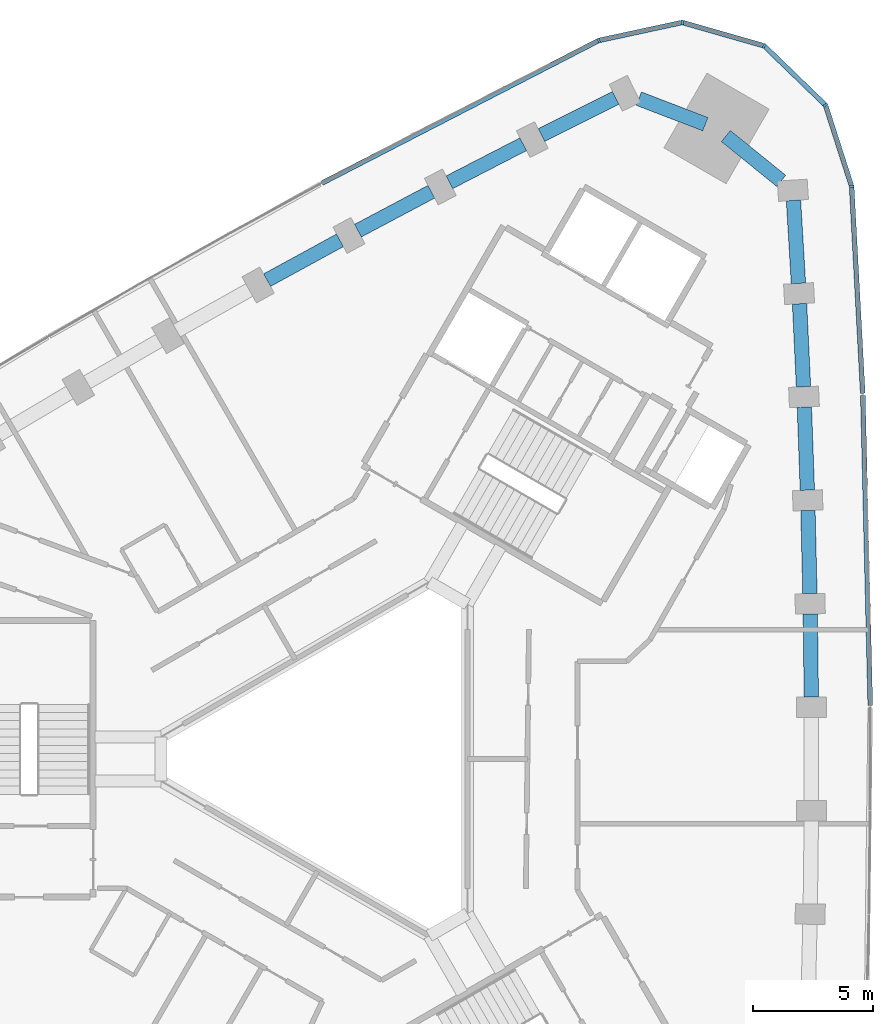
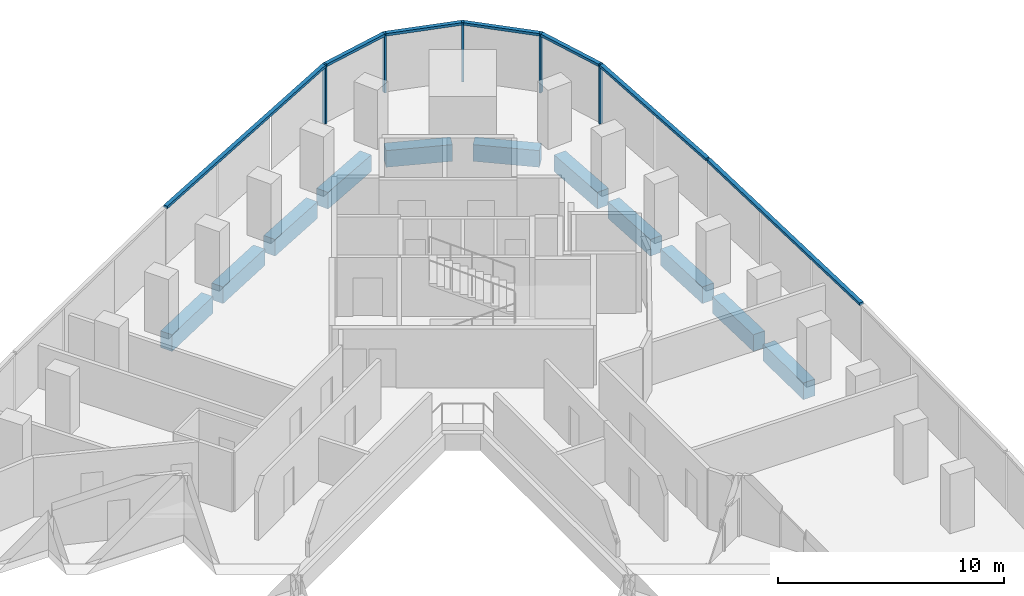
# One storey, part 5 of 12: 12 members, 11 beams, 2 elements without a shape of their own.
"""IFC4 building model written with IfcOpenShell, lengths in metres."""

import ifcopenshell
import ifcopenshell.guid

model = None  # the IFC model being written
_history = None  # IfcOwnerHistory: only IFC2X3 demands one
_inside = {}  # id of a spatial element -> (the spatial element, [elements in it])
_under = {}  # id of a project, library or spatial element -> (it, [spatial elements below it])
_declared = {}  # id of a project -> (the project, [libraries it declares])
_typed = {}  # id of a type object -> (the type object, [elements of that type])
_made_of = {}  # id of a material, layer set ... -> (it, [elements and type objects made of it])


def new_model(schema):
    """Start an empty IFC model of exactly this schema.

    Asked for "IFC4X3", IfcOpenShell would pick the latest addendum, in which some entities
    have other attributes; the version numbers below select the first issue.
    IFC2X3 requires an IfcOwnerHistory on every rooted entity: one is made here for all.
    """
    global model, _history
    if schema == "IFC4X3":
        model = ifcopenshell.file(schema_version=(4, 3, 0, 0))
    else:
        model = ifcopenshell.file(schema=schema)
    _inside.clear()
    _under.clear()
    _declared.clear()
    _typed.clear()
    _made_of.clear()
    _history = None
    if model.schema == "IFC2X3":
        org = make("IfcOrganization", Name="unknown")
        user = make(
            "IfcPersonAndOrganization",
            ThePerson=make("IfcPerson", FamilyName="unknown"),
            TheOrganization=org,
        )
        app = make(
            "IfcApplication",
            ApplicationDeveloper=org,
            Version="unknown",
            ApplicationFullName="unknown",
            ApplicationIdentifier="unknown",
        )
        _history = make(
            "IfcOwnerHistory",
            OwningUser=user,
            OwningApplication=app,
            ChangeAction="ADDED",
            CreationDate=0,
        )
    return model


def make(cls, **values):
    """One entity of the class cls with the attributes given. An attribute that is None is left unset."""
    return model.create_entity(
        cls, **{name: value for name, value in values.items() if value is not None}
    )


def rooted(cls, **values):
    """An entity with a GlobalId (a new one), such as an element, a storey or a relation."""
    return make(cls, GlobalId=ifcopenshell.guid.new(), OwnerHistory=_history, **values)


def si_unit(unit_type, name, prefix=None):
    """IfcSIUnit, for example si_unit("LENGTHUNIT", "METRE", prefix="MILLI")."""
    return make("IfcSIUnit", UnitType=unit_type, Prefix=prefix, Name=name)


def assignment(units):
    """IfcUnitAssignment: the units of a project."""
    return None if units is None else make("IfcUnitAssignment", Units=units)


def point(xyz):
    """IfcCartesianPoint."""
    return None if xyz is None else make("IfcCartesianPoint", Coordinates=xyz)


def direction(xyz):
    """IfcDirection."""
    return None if xyz is None else make("IfcDirection", DirectionRatios=xyz)


def frame(location, z_axis=None, x_axis=None):
    """IfcAxis2Placement3D, a coordinate frame: its origin and axes. An axis left out is left unset."""
    return make(
        "IfcAxis2Placement3D",
        Location=point(location),
        Axis=direction(z_axis),
        RefDirection=direction(x_axis),
    )


def frame_2d(location, x_axis=None):
    """IfcAxis2Placement2D, a coordinate frame in the plane: its origin and x axis."""
    return make(
        "IfcAxis2Placement2D", Location=point(location), RefDirection=direction(x_axis)
    )


def origin():
    """The frame at (0, 0, 0) with its axes left unset."""
    return frame((0.0, 0.0, 0.0))


def origin_2d():
    """The frame at (0, 0) in the plane with its x axis left unset."""
    return frame_2d((0.0, 0.0))


def place(relative_to, where):
    """IfcLocalPlacement: puts the frame where relative to a parent placement (None: the world)."""
    return make(
        "IfcLocalPlacement", PlacementRelTo=relative_to, RelativePlacement=where
    )


def context(
    kind, dimensions, precision=None, world=None, true_north=None, identifier=None
):
    """IfcGeometricRepresentationContext, for example the 3D "Model" context."""
    return make(
        "IfcGeometricRepresentationContext",
        ContextIdentifier=identifier,
        ContextType=kind,
        CoordinateSpaceDimension=dimensions,
        Precision=precision,
        WorldCoordinateSystem=world,
        TrueNorth=true_north,
    )


def subcontext(parent, identifier, kind, view, scale=None):
    """IfcGeometricRepresentationSubContext, for example "Body" below "Model"."""
    return make(
        "IfcGeometricRepresentationSubContext",
        ContextIdentifier=identifier,
        ContextType=kind,
        ParentContext=parent,
        TargetScale=scale,
        TargetView=view,
    )


def project(units=None, contexts=None):
    """IfcProject with its units and contexts."""
    return rooted(
        "IfcProject",
        Name="project",
        RepresentationContexts=contexts,
        UnitsInContext=assignment(units),
    )


def spatial(cls, under=None, at=None, **own):
    """A site, building, storey or space (cls), placed at a placement, below another one or the project."""
    s = rooted(cls, ObjectPlacement=at, **own)
    if under is not None:
        _under.setdefault(under.id(), (under, []))[1].append(s)
    return s


def profile(cls, at=None, kind="AREA", **sizes):
    """A parametric profile (cls). Its sizes go by their IFC names, for example OverallWidth=200.0."""
    return make(cls, ProfileType=kind, Position=at, **sizes)


def rectangle(**sizes):
    """IfcRectangleProfileDef."""
    return profile("IfcRectangleProfileDef", **sizes)


def extrude(swept, where, along, depth):
    """IfcExtrudedAreaSolid: the profile swept, set in the frame where, extruded along a direction by depth."""
    return make(
        "IfcExtrudedAreaSolid",
        SweptArea=swept,
        Position=where,
        ExtrudedDirection=direction(along),
        Depth=depth,
    )


def shape(context_of_items, identifier, shape_type, items):
    """IfcShapeRepresentation: the items that make up one representation, for example the "Body"."""
    return make(
        "IfcShapeRepresentation",
        ContextOfItems=context_of_items,
        RepresentationIdentifier=identifier,
        RepresentationType=shape_type,
        Items=items,
    )


def material(Name=None, Category=None):
    """IfcMaterial."""
    return make("IfcMaterial", Name=Name, Category=Category)


def material_profile(
    of_material, cross_section, Name=None, Category=None, Priority=None
):
    """IfcMaterialProfile: a cross section and its material."""
    return make(
        "IfcMaterialProfile",
        Name=Name,
        Material=of_material,
        Profile=cross_section,
        Priority=Priority,
        Category=Category,
    )


def profile_set(profiles, Name=None, composite=None):
    """IfcMaterialProfileSet."""
    return make(
        "IfcMaterialProfileSet",
        Name=Name,
        MaterialProfiles=profiles,
        CompositeProfile=composite,
    )


def made_of(thing, what):
    """Note that an element or type object is made of a material, layer set ...; save() writes the relation."""
    if what is not None:
        _made_of.setdefault(what.id(), (what, []))[1].append(thing)
    return thing


def type_object(cls, material=None, **own):
    """A type object (cls), such as IfcWallType, which elements share."""
    return made_of(rooted(cls, **own), material)


def element(
    cls,
    number,
    at=None,
    inside=None,
    cuts=None,
    type_object=None,
    material=None,
    context=None,
    identifier="Body",
    shape_type=None,
    held_by="IfcProductDefinitionShape",
    body=None,
    shapes=None,
    **own,
):
    """One element of the class cls, such as IfcWall. Its Tag is "e" and its number.

    at: its placement. inside: the storey or other place that contains it. cuts: it is an
    opening in that element (IfcRelVoidsElement). A single representation is given by context,
    identifier, shape_type and body (its items); several are given by shapes. held_by: the class
    of the entity that holds the representations. save() writes the other relations.
    """
    e = rooted(cls, Tag="e%d" % number, ObjectPlacement=at, **own)
    if body is not None:
        shapes = [shape(context, identifier, shape_type, body)]
    if shapes is not None:
        e.Representation = make(held_by, Representations=shapes)
    if inside is not None:
        _inside.setdefault(inside.id(), (inside, []))[1].append(e)
    if cuts is not None:
        rooted(
            "IfcRelVoidsElement", RelatingBuildingElement=cuts, RelatedOpeningElement=e
        )
    if type_object is not None:
        _typed.setdefault(type_object.id(), (type_object, []))[1].append(e)
    return made_of(e, material)


def aggregate(whole, parts):
    """IfcRelAggregates: a whole, such as a stair, and the parts it consists of."""
    return rooted("IfcRelAggregates", RelatingObject=whole, RelatedObjects=parts)


def save(model, path):
    """Write the relations noted so far, then the file.

    IfcRelAggregates (storeys below a building ...), IfcRelContainedInSpatialStructure (elements
    in a storey), IfcRelDefinesByType, IfcRelAssociatesMaterial and IfcRelDeclares: one each for
    every whole, place, type object, material and project.
    """
    for whole, parts in _under.values():
        aggregate(whole, parts)
    for where, things in _inside.values():
        rooted(
            "IfcRelContainedInSpatialStructure",
            RelatedElements=things,
            RelatingStructure=where,
        )
    for kind, things in _typed.values():
        rooted("IfcRelDefinesByType", RelatedObjects=things, RelatingType=kind)
    for what, things in _made_of.values():
        rooted("IfcRelAssociatesMaterial", RelatedObjects=things, RelatingMaterial=what)
    for by, libraries in _declared.values():
        rooted("IfcRelDeclares", RelatingContext=by, RelatedDefinitions=libraries)
    model.write(path)


model = new_model("IFC4")

# Units and contexts
model_context = context("Model", 3, precision=1e-05, world=origin(), true_north=direction((0.0, 1.0)))
body_context = subcontext(model_context, "Body", "Model", "MODEL_VIEW")
ifc_project = project(units=[si_unit("LENGTHUNIT", "METRE"), si_unit("AREAUNIT", "SQUARE_METRE"), si_unit("VOLUMEUNIT", "CUBIC_METRE"), si_unit("PLANEANGLEUNIT", "RADIAN"), si_unit("MASSUNIT", "GRAM", prefix="KILO")], contexts=[model_context])

# Site, building, storey
site_placement = place(None, origin())
site = spatial("IfcSite", under=ifc_project, at=site_placement, CompositionType="ELEMENT")
building_placement = place(site_placement, origin())
building = spatial("IfcBuilding", under=site, at=building_placement, Name="Tamra Quay Hotel Tower", CompositionType="ELEMENT")
storey_placement = place(building_placement, frame((0.0, 0.0, 143.199951171875)))
storey = spatial("IfcBuildingStorey", under=building, at=storey_placement, Name="L35", CompositionType="ELEMENT", Elevation=143.199951171875)

# Curtain wall, members
ifc_material_1 = material(Name="Aluminium 6063 anodised dark grey", Category="aluminium")
curtain_wall_type_1 = type_object("IfcCurtainWallType", Name="CW1 CURTAIN WALL", PredefinedType="NOTDEFINED", material=ifc_material_1)
curtain_wall_1_placement = place(storey_placement, origin())
curtain_wall_1 = element("IfcCurtainWall", 1, at=curtain_wall_1_placement, inside=storey, type_object=curtain_wall_type_1, Name="CW1 east face L35", PredefinedType="NOTDEFINED")
ifc_material_profile_1 = material_profile(ifc_material_1, rectangle(XDim=0.199951171875, YDim=0.10009765625, at=origin_2d()), Name="MULLION 100X200")
ifc_profile_set_1 = profile_set([ifc_material_profile_1], Name="Aluminium 6063 anodised dark grey")
member_type_1 = type_object("IfcMemberType", Name="MULLION CW1 Z3", PredefinedType="MULLION", material=ifc_profile_set_1)
member_1_placement = place(storey_placement, frame((20.852294921875, 23.918212890625, 0.0), z_axis=(0.0, 0.0, 1.0), x_axis=(0.982883217826, 0.184229693905, 0.0)))
member_1 = element("IfcMember", 2, at=member_1_placement, type_object=member_type_1, Name="CW1 mullion L35.E.12", PredefinedType="MULLION", context=body_context, shape_type="SweptSolid", body=[
    extrude(rectangle(XDim=0.199951171875, YDim=0.10009765625, at=origin_2d()), origin(), (0.0, 0.0, 1.0), 3.199951171875),
])
member_2_placement = place(storey_placement, frame((19.76171875, 27.312255859375, 0.0), z_axis=(0.0, 0.0, 1.0), x_axis=(0.849197833806, 0.52807484229, 0.0)))
member_2 = element("IfcMember", 3, at=member_2_placement, type_object=member_type_1, Name="CW1 mullion L35.E.13", PredefinedType="MULLION", context=body_context, shape_type="SweptSolid", body=[
    extrude(rectangle(XDim=0.199951171875, YDim=0.10009765625, at=origin_2d()), origin(), (0.0, 0.0, 1.0), 3.199951171875),
])
member_3_placement = place(storey_placement, frame((17.199951171875, 29.791259765625, 0.0), z_axis=(0.0, 0.0, 1.0), x_axis=(0.5, 0.866025403784, 0.0)))
member_3 = element("IfcMember", 4, at=member_3_placement, type_object=member_type_1, Name="CW1 mullion L35.E.14", PredefinedType="MULLION", context=body_context, shape_type="SweptSolid", body=[
    extrude(rectangle(XDim=0.199951171875, YDim=0.10009765625, at=origin_2d()), origin(), (0.0, 0.0, 1.0), 3.199951171875),
])
member_4_placement = place(storey_placement, frame((13.772216796875, 30.770263671875, 0.0), z_axis=(0.0, 0.0, 1.0), x_axis=(0.032727311619, 0.99946431806, 0.0)))
member_4 = element("IfcMember", 5, at=member_4_placement, type_object=member_type_1, Name="CW1 mullion L35.E.15", PredefinedType="MULLION", context=body_context, shape_type="SweptSolid", body=[
    extrude(rectangle(XDim=0.199951171875, YDim=0.10009765625, at=origin_2d()), origin(), (0.0, 0.0, 1.0), 3.199951171875),
])

# Curtain wall, member
curtain_wall_type_2 = type_object("IfcCurtainWallType", Name="CW2 CURTAIN WALL", PredefinedType="NOTDEFINED", material=ifc_material_1)
curtain_wall_2_placement = place(storey_placement, origin())
curtain_wall_2 = element("IfcCurtainWall", 6, at=curtain_wall_2_placement, inside=storey, type_object=curtain_wall_type_2, Name="CW2 north-west face L35", PredefinedType="NOTDEFINED")
ifc_material_profile_2 = material_profile(ifc_material_1, rectangle(XDim=0.199951171875, YDim=0.10009765625, at=origin_2d()), Name="MULLION 100X200")
ifc_profile_set_2 = profile_set([ifc_material_profile_2], Name="Aluminium 6063 anodised dark grey")
member_type_2 = type_object("IfcMemberType", Name="MULLION CW2 Z3", PredefinedType="MULLION", material=ifc_profile_set_2)
member_5_placement = place(storey_placement, frame((10.28759765625, 30.017578125, 0.0), z_axis=(0.0, 0.0, 1.0), x_axis=(-0.33189401386, 0.943316682543, 0.0)))
member_5 = element("IfcMember", 7, at=member_5_placement, type_object=member_type_2, Name="CW2 mullion L35.NW.1", PredefinedType="MULLION", context=body_context, shape_type="SweptSolid", body=[
    extrude(rectangle(XDim=0.199951171875, YDim=0.10009765625, at=origin_2d()), origin(), (0.0, 0.0, 1.0), 3.199951171875),
])

# Beams
ifc_material_2 = material(Name="Concrete M60", Category="concrete")
ifc_material_profile_3 = material_profile(ifc_material_2, rectangle(XDim=0.60009765625, YDim=0.89990234375, at=origin_2d()), Name="SPANDREL BEAM RC 600x900")
ifc_profile_set_3 = profile_set([ifc_material_profile_3], Name="Concrete M60")
beam_type = type_object("IfcBeamType", Name="SPANDREL BEAM RC 600x900", PredefinedType="SPANDREL", material=ifc_profile_set_3)
beam_1_placement = place(storey_placement, frame((19.165771484375, 2.586181640625, -0.849853515625), z_axis=(-0.011951617666, 0.999928576867, 0.0), x_axis=(-0.999928576867, -0.011951617666, 0.0)))
element("IfcBeam", 8, at=beam_1_placement, inside=storey, type_object=beam_type, Name="BM-SP3-006-L35", PredefinedType="SPANDREL", context=body_context, shape_type="SweptSolid", body=[
    extrude(rectangle(XDim=0.60009765625, YDim=0.89990234375, at=origin_2d()), origin(), (0.0, 0.0, 1.0), 3.47265625),
])
beam_2_placement = place(storey_placement, frame((19.10888671875, 6.90869140625, -0.849853515625), z_axis=(-0.023906514803, 0.999714198434, 0.0), x_axis=(-0.999714198434, -0.023906514803, 0.0)))
element("IfcBeam", 9, at=beam_2_placement, inside=storey, type_object=beam_type, Name="BM-SP3-007-L35", PredefinedType="SPANDREL", context=body_context, shape_type="SweptSolid", body=[
    extrude(rectangle(XDim=0.60009765625, YDim=0.89990234375, at=origin_2d()), origin(), (0.0, 0.0, 1.0), 3.47216796875),
])
beam_3_placement = place(storey_placement, frame((19.00048828125, 11.2294921875, -0.849853515625), z_axis=(-0.035786826945, 0.999359446354, 0.0), x_axis=(-0.999359446354, -0.035786826945, 0.0)))
element("IfcBeam", 10, at=beam_3_placement, inside=storey, type_object=beam_type, Name="BM-SP3-008-L35", PredefinedType="SPANDREL", context=body_context, shape_type="SweptSolid", body=[
    extrude(rectangle(XDim=0.60009765625, YDim=0.89990234375, at=origin_2d()), origin(), (0.0, 0.0, 1.0), 3.472412109375),
])
beam_4_placement = place(storey_placement, frame((18.840576171875, 15.548828125, -0.849853515625), z_axis=(-0.047732145575, 0.998860171535, 0.0), x_axis=(-0.998860171535, -0.047732145575, 0.0)))
element("IfcBeam", 11, at=beam_4_placement, inside=storey, type_object=beam_type, Name="BM-SP3-009-L35", PredefinedType="SPANDREL", context=body_context, shape_type="SweptSolid", body=[
    extrude(rectangle(XDim=0.60009765625, YDim=0.89990234375, at=origin_2d()), origin(), (0.0, 0.0, 1.0), 3.472900390625),
])
beam_5_placement = place(storey_placement, frame((18.629150390625, 19.86669921875, -0.849853515625), z_axis=(-0.059620475238, 0.998221117254, 0.0), x_axis=(-0.998221117254, -0.059620475238, 0.0)))
element("IfcBeam", 12, at=beam_5_placement, inside=storey, type_object=beam_type, Name="BM-SP3-010-L35", PredefinedType="SPANDREL", context=body_context, shape_type="SweptSolid", body=[
    extrude(rectangle(XDim=0.60009765625, YDim=0.89990234375, at=origin_2d()), origin(), (0.0, 0.0, 1.0), 3.472412109375),
])
beam_6_placement = place(storey_placement, frame((17.909912109375, 24.151123046875, -0.849853515625), z_axis=(-0.777183767602, 0.629273701482, 0.0), x_axis=(-0.629273701482, -0.777183767602, 0.0)))
element("IfcBeam", 13, at=beam_6_placement, inside=storey, type_object=beam_type, Name="BM-SP3-011-L35", PredefinedType="SPANDREL", context=body_context, shape_type="SweptSolid", body=[
    extrude(rectangle(XDim=0.60009765625, YDim=0.89990234375, at=origin_2d()), origin(), (0.0, 0.0, 1.0), 2.977783203125),
])
beam_7_placement = place(storey_placement, frame((14.74072265625, 26.5185546875, -0.849853515625), z_axis=(-0.933527198951, 0.358506581278, 0.0), x_axis=(-0.358506581278, -0.933527198951, 0.0)))
element("IfcBeam", 14, at=beam_7_placement, inside=storey, type_object=beam_type, Name="BM-SP3-012-L35", PredefinedType="SPANDREL", context=body_context, shape_type="SweptSolid", body=[
    extrude(rectangle(XDim=0.60009765625, YDim=0.89990234375, at=origin_2d()), origin(), (0.0, 0.0, 1.0), 2.97802734375),
])
beam_8_placement = place(storey_placement, frame((10.995849609375, 27.620361328125, -0.849853515625), z_axis=(-0.894314670292, -0.447438566174, 0.0), x_axis=(0.447438566174, -0.894314670292, 0.0)))
element("IfcBeam", 15, at=beam_8_placement, inside=storey, type_object=beam_type, Name="BM-SP3-013-L35", PredefinedType="SPANDREL", context=body_context, shape_type="SweptSolid", body=[
    extrude(rectangle(XDim=0.60009765625, YDim=0.89990234375, at=origin_2d()), origin(), (0.0, 0.0, 1.0), 3.472412109375),
])
beam_9_placement = place(storey_placement, frame((7.132568359375, 25.681640625, -0.849853515625), z_axis=(-0.888919913451, -0.458062645792, 0.0), x_axis=(0.458062645792, -0.888919913451, 0.0)))
element("IfcBeam", 16, at=beam_9_placement, inside=storey, type_object=beam_type, Name="BM-SP3-014-L35", PredefinedType="SPANDREL", context=body_context, shape_type="SweptSolid", body=[
    extrude(rectangle(XDim=0.60009765625, YDim=0.89990234375, at=origin_2d()), origin(), (0.0, 0.0, 1.0), 3.472900390625),
])
for number, where, z_axis, x_axis, name in (
    (17, (3.292236328125, 23.697021484375, -0.849853515625), (-0.883411391477, -0.468598243071, 0.0), (0.468598243071, -0.883411391477, 0.0), "BM-SP3-015-L35"),
    (18, (-0.523681640625, 21.6669921875, -0.849853515625), (-0.877731617539, -0.479152593202, 0.0), (0.479152593202, -0.877731617539, 0.0), "BM-SP3-016-L35"),
):
    element("IfcBeam", number, at=place(storey_placement, frame(where, z_axis=z_axis, x_axis=x_axis)), inside=storey, type_object=beam_type, Name=name, PredefinedType="SPANDREL", context=body_context, shape_type="SweptSolid", body=[
        extrude(rectangle(XDim=0.60009765625, YDim=0.89990234375, at=origin_2d()), origin(), (0.0, 0.0, 1.0), 3.472412109375),
    ])

# Member
ifc_material_profile_4 = material_profile(ifc_material_1, rectangle(XDim=0.199951171875, YDim=0.139892578125, at=origin_2d()), Name="TRANSOM 200X140")
ifc_profile_set_4 = profile_set([ifc_material_profile_4], Name="Aluminium 6063 anodised dark grey")
member_type_3 = type_object("IfcMemberType", Name="TRANSOM CW1 Z3", PredefinedType="USERDEFINED", material=ifc_profile_set_4)
member_6_placement = place(storey_placement, frame((21.630859375, 2.226318359375, 3.130126953125), z_axis=(-0.023894704372, 0.999714480791, 0.0), x_axis=(-0.999714480791, -0.023894704372, 0.0)))
member_6 = element("IfcMember", 19, at=member_6_placement, type_object=member_type_3, Name="CW1 transom L35.E.7", ObjectType="TRANSOM", PredefinedType="USERDEFINED", context=body_context, shape_type="SweptSolid", body=[
    extrude(rectangle(XDim=0.199951171875, YDim=0.139892578125, at=origin_2d()), origin(), (0.0, 0.0, 1.0), 12.95556640625),
])

member_7_placement = place(storey_placement, frame((21.317138671875, 15.278076171875, 3.130126953125), z_axis=(-0.053693818243, 0.998557446461, 0.0), x_axis=(-0.998557446461, -0.053693818243, 0.0)))
member_7 = element("IfcMember", 20, at=member_7_placement, type_object=member_type_3, Name="CW1 transom L35.E.10", ObjectType="TRANSOM", PredefinedType="USERDEFINED", context=body_context, shape_type="SweptSolid", body=[
    extrude(rectangle(XDim=0.199951171875, YDim=0.139892578125, at=origin_2d()), origin(), (0.0, 0.0, 1.0), 8.602783203125),
])

member_8_placement = place(storey_placement, frame((20.8369140625, 23.9658203125, 3.130126953125), z_axis=(-0.305936194626, 0.952052017916, 0.0), x_axis=(-0.952052017916, -0.305936194626, 0.0)))
member_8 = element("IfcMember", 21, at=member_8_placement, type_object=member_type_3, Name="CW1 transom L35.E.12", ObjectType="TRANSOM", PredefinedType="USERDEFINED", context=body_context, shape_type="SweptSolid", body=[
    extrude(rectangle(XDim=0.199951171875, YDim=0.139892578125, at=origin_2d()), origin(), (0.0, 0.0, 1.0), 3.465087890625),
])

member_9_placement = place(storey_placement, frame((19.725830078125, 27.346923828125, 3.130126953125), z_axis=(-0.718602141767, 0.695421427516, 0.0), x_axis=(-0.695421427516, -0.718602141767, 0.0)))
member_9 = element("IfcMember", 22, at=member_9_placement, type_object=member_type_3, Name="CW1 transom L35.E.13", ObjectType="TRANSOM", PredefinedType="USERDEFINED", context=body_context, shape_type="SweptSolid", body=[
    extrude(rectangle(XDim=0.199951171875, YDim=0.139892578125, at=origin_2d()), origin(), (0.0, 0.0, 1.0), 3.465087890625),
])

member_10_placement = place(storey_placement, frame((17.15185546875, 29.804931640625, 3.130126953125), z_axis=(-0.961558507518, 0.274600139513, 0.0), x_axis=(-0.274600139513, -0.961558507518, 0.0)))
member_10 = element("IfcMember", 23, at=member_10_placement, type_object=member_type_3, Name="CW1 transom L35.E.14", ObjectType="TRANSOM", PredefinedType="USERDEFINED", context=body_context, shape_type="SweptSolid", body=[
    extrude(rectangle(XDim=0.199951171875, YDim=0.139892578125, at=origin_2d()), origin(), (0.0, 0.0, 1.0), 3.46484375),
])

member_11_placement = place(storey_placement, frame((13.723388671875, 30.759521484375, 3.130126953125), z_axis=(-0.977466057655, -0.211092648218, 0.0), x_axis=(0.211092648218, -0.977466057655, 0.0)))
member_11 = element("IfcMember", 24, at=member_11_placement, type_object=member_type_3, Name="CW1 transom L35.E.15", ObjectType="TRANSOM", PredefinedType="USERDEFINED", context=body_context, shape_type="SweptSolid", body=[
    extrude(rectangle(XDim=0.199951171875, YDim=0.139892578125, at=origin_2d()), origin(), (0.0, 0.0, 1.0), 3.465087890625),
])

aggregate(curtain_wall_1, [member_6, member_7, member_1, member_8, member_2, member_9, member_3, member_10, member_4, member_11])

ifc_material_profile_5 = material_profile(ifc_material_1, rectangle(XDim=0.199951171875, YDim=0.139892578125, at=origin_2d()), Name="TRANSOM 200X140")
ifc_profile_set_5 = profile_set([ifc_material_profile_5], Name="Aluminium 6063 anodised dark grey")
member_type_4 = type_object("IfcMemberType", Name="TRANSOM CW2 Z3", PredefinedType="USERDEFINED", material=ifc_profile_set_5)
member_12_placement = place(storey_placement, frame((10.242919921875, 29.995361328125, 3.130126953125), z_axis=(-0.888910612122, -0.458080695574, 0.0), x_axis=(0.458080695574, -0.888910612122, 0.0)))
member_12 = element("IfcMember", 25, at=member_12_placement, type_object=member_type_4, Name="CW2 transom L35.NW.1", ObjectType="TRANSOM", PredefinedType="USERDEFINED", context=body_context, shape_type="SweptSolid", body=[
    extrude(rectangle(XDim=0.199951171875, YDim=0.139892578125, at=origin_2d()), origin(), (0.0, 0.0, 1.0), 12.954833984375),
])

aggregate(curtain_wall_2, [member_5, member_12])

save(model, "model.ifc")
